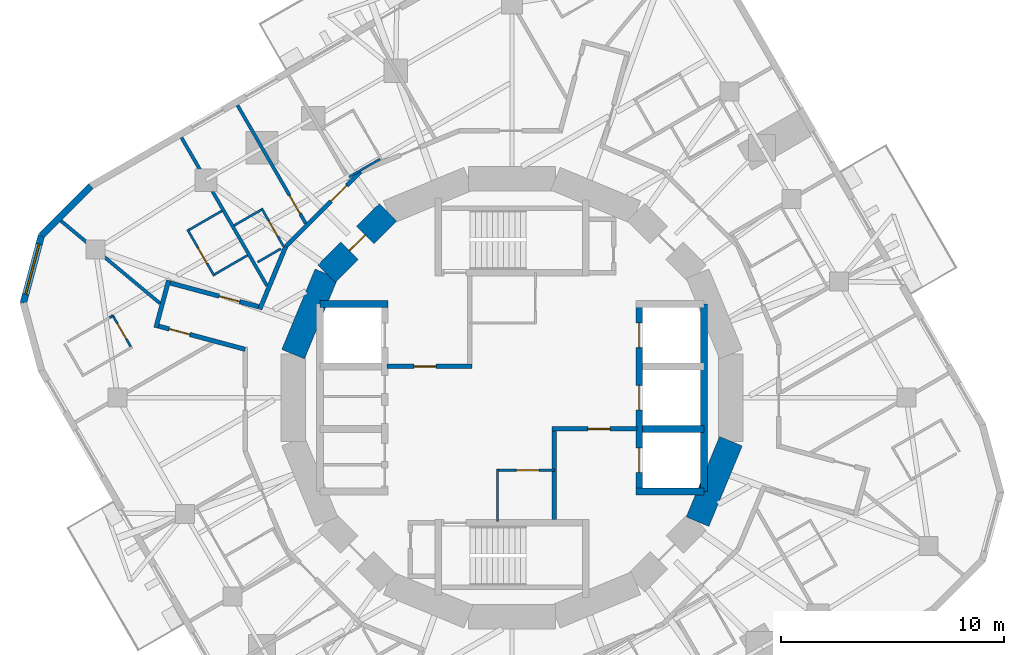
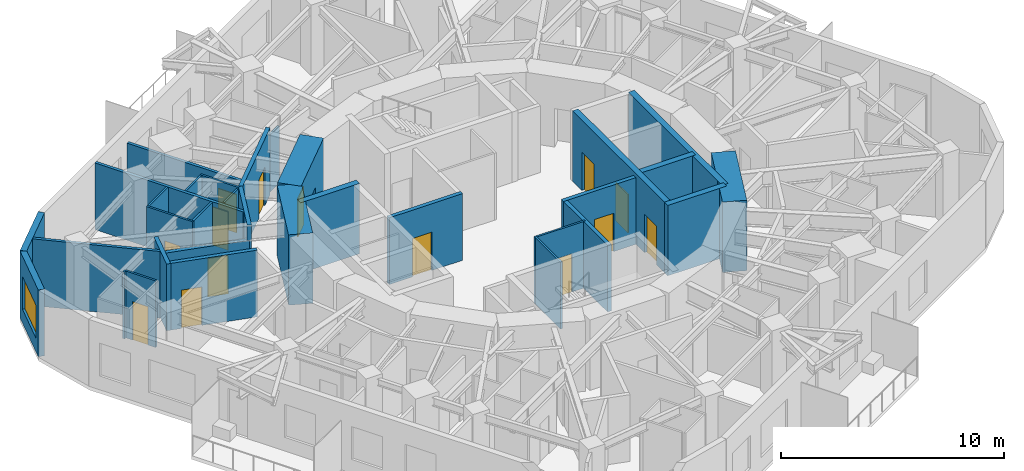
# One storey, part 6 of 11: 32 walls, 14 doors, 1 window, 15 openings.
"""IFC4 building model written with IfcOpenShell, lengths in metres."""

from ifc_helpers import new_model, si_unit, direction, frame, frame_2d, origin, place, context, subcontext, project, spatial, rectangle, extrude, material, layer, layer_set, type_object, element, fill, save


model = new_model("IFC4")

# Units and contexts
model_context = context("Model", 3, precision=1e-05, world=origin(), true_north=direction((0.0, 1.0)))
body_context = subcontext(model_context, "Body", "Model", "MODEL_VIEW")
ifc_project = project(units=[si_unit("LENGTHUNIT", "METRE"), si_unit("AREAUNIT", "SQUARE_METRE"), si_unit("VOLUMEUNIT", "CUBIC_METRE"), si_unit("PLANEANGLEUNIT", "RADIAN"), si_unit("MASSUNIT", "GRAM", prefix="KILO")], contexts=[model_context])

# Site, building, storey
site_placement = place(None, origin())
site = spatial("IfcSite", under=ifc_project, at=site_placement, CompositionType="ELEMENT")
building_placement = place(site_placement, origin())
building = spatial("IfcBuilding", under=site, at=building_placement, Name="Nakasero Lantern House", CompositionType="ELEMENT")
storey_placement = place(building_placement, frame((0.0, 0.0, 238.5)))
storey = spatial("IfcBuildingStorey", under=building, at=storey_placement, Name="L58", CompositionType="ELEMENT", Elevation=238.5)

# Wall, openings, doors
ifc_material_1 = material(Name="Concrete C50/60", Category="concrete")
ifc_layer_1 = layer(ifc_material_1, 0.300048828125)
ifc_layer_set_1 = layer_set([ifc_layer_1], Name="Core inner wall 300")
wall_type_1 = type_object("IfcWallType", Name="Core inner wall 300", PredefinedType="SHEAR", material=ifc_layer_set_1)
wall_1_placement = place(storey_placement, frame((5.699951171875, -4.199951171875, 0.0), z_axis=(0.0, 0.0, 1.0), x_axis=(0.0, 1.0, 0.0)))
wall_1 = element("IfcWall", 1, at=wall_1_placement, inside=storey, type_object=wall_type_1, Name="Core inner wall L58 LE", PredefinedType="SHEAR", context=body_context, shape_type="SweptSolid", body=[
    extrude(rectangle(XDim=8.39990234375, YDim=0.300048828125, at=frame_2d((4.199951171875, 0.0))), origin(), (0.0, 0.0, 1.0), 3.85009765625),
])
opening_1_placement = place(wall_1_placement, frame((0.85009765625, 0.0, 0.0)))
opening_1 = element("IfcOpeningElement", 2, at=opening_1_placement, cuts=wall_1, Name="Opening LD", PredefinedType="OPENING", context=body_context, shape_type="SweptSolid", body=[
    extrude(rectangle(XDim=1.10009765625, YDim=2.10009765625, at=frame_2d((0.550048828125, 1.050048828125))), frame((0.0, 0.169921875, 0.0), z_axis=(0.0, -1.0, 0.0), x_axis=(1.0, 0.0, 0.0)), (0.0, 0.0, 1.0), 0.340087890625),
])
opening_2_placement = place(wall_1_placement, frame((3.64990234375, 0.0, 0.0)))
opening_2 = element("IfcOpeningElement", 3, at=opening_2_placement, cuts=wall_1, Name="Opening LD", PredefinedType="OPENING", context=body_context, shape_type="SweptSolid", body=[
    extrude(rectangle(XDim=1.10009765625, YDim=2.10009765625, at=frame_2d((0.550048828125, 1.050048828125))), frame((0.0, 0.169921875, 0.0), z_axis=(0.0, -1.0, 0.0), x_axis=(1.0, 0.0, 0.0)), (0.0, 0.0, 1.0), 0.340087890625),
])
opening_3_placement = place(wall_1_placement, frame((6.449951171875, 0.0, 0.0)))
opening_3 = element("IfcOpeningElement", 4, at=opening_3_placement, cuts=wall_1, Name="Opening LD", PredefinedType="OPENING", context=body_context, shape_type="SweptSolid", body=[
    extrude(rectangle(XDim=1.10009765625, YDim=2.10009765625, at=frame_2d((0.550048828125, 1.050048828125))), frame((0.0, 0.169921875, 0.0), z_axis=(0.0, -1.0, 0.0), x_axis=(1.0, 0.0, 0.0)), (0.0, 0.0, 1.0), 0.340087890625),
])
ifc_material_2 = material(Name="Steel S355", Category="steel")
door_type_1 = type_object("IfcDoorType", Name="Lift landing door E120 1100", OperationType="SLIDING_TO_LEFT", PredefinedType="DOOR", material=ifc_material_2)
door_1_placement = place(opening_1_placement, origin())
door_1 = element("IfcDoor", 5, at=door_1_placement, inside=storey, type_object=door_type_1, Name="Lift landing door LE1", OperationType="SLIDING_TO_LEFT", OverallHeight=2.10009765625, OverallWidth=1.10009765625, PredefinedType="DOOR", context=body_context, shape_type="SweptSolid", body=[
    extrude(rectangle(XDim=1.10009765625, YDim=2.10009765625, at=frame_2d((0.550048828125, 1.050048828125))), frame((0.0, 0.02490234375, 0.0), z_axis=(0.0, -1.0, 0.0), x_axis=(1.0, 0.0, 0.0)), (0.0, 0.0, 1.0), 0.050048828125),
])
fill(opening_1, door_1)
door_2_placement = place(opening_2_placement, origin())
door_2 = element("IfcDoor", 6, at=door_2_placement, inside=storey, type_object=door_type_1, Name="Lift landing door LE2", OperationType="SLIDING_TO_LEFT", OverallHeight=2.10009765625, OverallWidth=1.10009765625, PredefinedType="DOOR", context=body_context, shape_type="SweptSolid", body=[
    extrude(rectangle(XDim=1.10009765625, YDim=2.10009765625, at=frame_2d((0.550048828125, 1.050048828125))), frame((0.0, 0.02490234375, 0.0), z_axis=(0.0, -1.0, 0.0), x_axis=(1.0, 0.0, 0.0)), (0.0, 0.0, 1.0), 0.050048828125),
])
fill(opening_2, door_2)
door_3_placement = place(opening_3_placement, origin())
door_3 = element("IfcDoor", 7, at=door_3_placement, inside=storey, type_object=door_type_1, Name="Lift landing door LE3", OperationType="SLIDING_TO_LEFT", OverallHeight=2.10009765625, OverallWidth=1.10009765625, PredefinedType="DOOR", context=body_context, shape_type="SweptSolid", body=[
    extrude(rectangle(XDim=1.10009765625, YDim=2.10009765625, at=frame_2d((0.550048828125, 1.050048828125))), frame((0.0, 0.02490234375, 0.0), z_axis=(0.0, -1.0, 0.0), x_axis=(1.0, 0.0, 0.0)), (0.0, 0.0, 1.0), 0.050048828125),
])
fill(opening_3, door_3)

# Walls
for number, where, z_axis, x_axis, name in (
    (8, (-8.60009765625, 4.199951171875, 0.0), (0.0, 0.0, 1.0), (1.0, 0.0, 0.0), "Core inner wall L58 LWN"),
    (9, (5.550048828125, -4.199951171875, 0.0), (0.0, 0.0, 1.0), (1.0, 0.0, 0.0), "Core inner wall L58 LES"),
):
    element("IfcWall", number, at=place(storey_placement, frame(where, z_axis=z_axis, x_axis=x_axis)), inside=storey, type_object=wall_type_1, Name=name, PredefinedType="SHEAR", context=body_context, shape_type="SweptSolid", body=[
        extrude(rectangle(XDim=3.050048828125, YDim=0.300048828125, at=frame_2d((1.52490234375, 0.0))), origin(), (0.0, 0.0, 1.0), 3.85009765625),
    ])
wall_2_placement = place(storey_placement, frame((8.60009765625, -4.199951171875, 0.0), z_axis=(0.0, 0.0, 1.0), x_axis=(0.0, 1.0, 0.0)))
element("IfcWall", 10, at=wall_2_placement, inside=storey, type_object=wall_type_1, Name="Core inner wall L58 LEB", PredefinedType="SHEAR", context=body_context, shape_type="SweptSolid", body=[
    extrude(rectangle(XDim=8.39990234375, YDim=0.300048828125, at=frame_2d((4.199951171875, 0.0))), origin(), (0.0, 0.0, 1.0), 3.85009765625),
])
wall_3_placement = place(storey_placement, frame((5.85009765625, -1.39990234375, 0.0), z_axis=(0.0, 0.0, 1.0), x_axis=(1.0, 0.0, 0.0)))
element("IfcWall", 11, at=wall_3_placement, inside=storey, type_object=wall_type_1, Name="Core inner wall L58 LE1", PredefinedType="SHEAR", context=body_context, shape_type="SweptSolid", body=[
    extrude(rectangle(XDim=2.75, YDim=0.300048828125, at=frame_2d((1.375, 0.0))), origin(), (0.0, 0.0, 1.0), 3.85009765625),
])

# Wall, opening, door
ifc_material_3 = material(Name="Blockwork", Category="masonry")
ifc_layer_2 = layer(ifc_material_3, 0.10009765625)
ifc_layer_set_2 = layer_set([ifc_layer_2], Name="Core room wall 100")
wall_type_2 = type_object("IfcWallType", Name="Core room wall 100", PredefinedType="PARTITIONING", material=ifc_layer_set_2)
wall_4_placement = place(storey_placement, frame((-0.699951171875, -3.25, 0.0), z_axis=(0.0, 0.0, 1.0), x_axis=(1.0, 0.0, 0.0)))
wall_4 = element("IfcWall", 12, at=wall_4_placement, inside=storey, type_object=wall_type_2, Name="Core room wall L58 CR-SWN", PredefinedType="PARTITIONING", context=body_context, shape_type="SweptSolid", body=[
    extrude(rectangle(XDim=2.599853515625, YDim=0.10009765625, at=frame_2d((1.2998046875, 0.0))), origin(), (0.0, 0.0, 1.0), 3.64990234375),
])
opening_4_placement = place(wall_4_placement, frame((0.89990234375, 0.0, 0.0)))
opening_4 = element("IfcOpeningElement", 13, at=opening_4_placement, cuts=wall_4, Name="Opening D07", PredefinedType="OPENING", context=body_context, shape_type="SweptSolid", body=[
    extrude(rectangle(XDim=1.0, YDim=2.10009765625, at=frame_2d((0.5, 1.050048828125))), frame((0.0, 0.070068359375, 0.0), z_axis=(0.0, -1.0, 0.0), x_axis=(1.0, 0.0, 0.0)), (0.0, 0.0, 1.0), 0.14013671875),
])
ifc_material_4 = material(Name="Timber C24", Category="wood")
door_type_2 = type_object("IfcDoorType", Name="Room door FD30S 1000", OperationType="SINGLE_SWING_LEFT", PredefinedType="DOOR", material=ifc_material_4)
door_4_placement = place(opening_4_placement, origin())
door_4 = element("IfcDoor", 14, at=door_4_placement, inside=storey, type_object=door_type_2, Name="Door L58 D-CR-SW", OperationType="SINGLE_SWING_RIGHT", OverallHeight=2.10009765625, OverallWidth=1.0, PredefinedType="DOOR", context=body_context, shape_type="SweptSolid", body=[
    extrude(rectangle(XDim=1.0, YDim=2.10009765625, at=frame_2d((0.5, 1.050048828125))), frame((0.0, 0.02490234375, 0.0), z_axis=(0.0, -1.0, 0.0), x_axis=(1.0, 0.0, 0.0)), (0.0, 0.0, 1.0), 0.050048828125),
])
fill(opening_4, door_4)

# Wall
wall_5_placement = place(storey_placement, frame((-0.64990234375, -5.550048828125, 0.0), z_axis=(0.0, 0.0, 1.0), x_axis=(0.0, 1.0, 0.0)))
element("IfcWall", 15, at=wall_5_placement, inside=storey, type_object=wall_type_2, Name="Core room wall L58 CR-SWW", PredefinedType="PARTITIONING", context=body_context, shape_type="SweptSolid", body=[
    extrude(rectangle(XDim=2.35009765625, YDim=0.10009765625, at=frame_2d((1.175048828125, 0.0))), origin(), (0.0, 0.0, 1.0), 3.64990234375),
])

# Wall, opening, door
ifc_material_5 = material(Name="Concrete C50/60", Category="concrete")
ifc_layer_3 = layer(ifc_material_5, 1.10009765625)
ifc_layer_set_3 = layer_set([ifc_layer_3], Name="Core wall 1100")
wall_type_3 = type_object("IfcWallType", Name="Core wall 1100", PredefinedType="SHEAR", material=ifc_layer_set_3)
wall_6_placement = place(storey_placement, frame((-5.5556640625, 8.314697265625, 0.0), z_axis=(0.0, 0.0, 1.0), x_axis=(-0.707106781187, -0.707106781187, 0.0)))
wall_6 = element("IfcWall", 16, at=wall_6_placement, inside=storey, type_object=wall_type_3, Name="Core wall L58 facet 6", PredefinedType="SHEAR", context=body_context, shape_type="SweptSolid", body=[
    extrude(rectangle(XDim=3.90185546875, YDim=1.10009765625, at=frame_2d((1.950927734375, 0.0))), origin(), (0.0, 0.0, 1.0), 3.85009765625),
])
opening_5_placement = place(wall_6_placement, frame((1.450927734375, 0.0, 0.0)))
opening_5 = element("IfcOpeningElement", 17, at=opening_5_placement, cuts=wall_6, Name="Opening D05", PredefinedType="OPENING", context=body_context, shape_type="SweptSolid", body=[
    extrude(rectangle(XDim=1.0, YDim=2.10009765625, at=frame_2d((0.5, 1.050048828125))), frame((0.0, 0.570068359375, 0.0), z_axis=(0.0, -1.0, 0.0), x_axis=(1.0, 0.0, 0.0)), (0.0, 0.0, 1.0), 1.14013671875),
])
ifc_material_6 = material(Name="Timber C24", Category="wood")
door_type_3 = type_object("IfcDoorType", Name="Core door FD60S 1000", OperationType="SINGLE_SWING_LEFT", PredefinedType="DOOR", material=ifc_material_6)
door_5_placement = place(opening_5_placement, origin())
door_5 = element("IfcDoor", 18, at=door_5_placement, inside=storey, type_object=door_type_3, Name="Door L58 D-CORE06", OperationType="SINGLE_SWING_LEFT", OverallHeight=2.10009765625, OverallWidth=1.0, PredefinedType="DOOR", context=body_context, shape_type="SweptSolid", body=[
    extrude(rectangle(XDim=1.0, YDim=2.10009765625, at=frame_2d((0.5, 1.050048828125))), frame((0.0, 0.02490234375, 0.0), z_axis=(0.0, -1.0, 0.0), x_axis=(1.0, 0.0, 0.0)), (0.0, 0.0, 1.0), 0.050048828125),
])
fill(opening_5, door_5)

# Walls
for number, where, z_axis, x_axis, name in (
    (19, (-8.314697265625, 5.5556640625, 0.0), (0.0, 0.0, 1.0), (-0.382690736062, -0.923876507187, 0.0), "Core wall L58 facet 7"),
    (20, (8.314697265625, -5.5556640625, 0.0), (0.0, 0.0, 1.0), (0.382690736062, 0.923876507187, 0.0), "Core wall L58 facet 15"),
):
    element("IfcWall", number, at=place(storey_placement, frame(where, z_axis=z_axis, x_axis=x_axis)), inside=storey, type_object=wall_type_3, Name=name, PredefinedType="SHEAR", context=body_context, shape_type="SweptSolid", body=[
        extrude(rectangle(XDim=3.90185546875, YDim=1.10009765625, at=frame_2d((1.950927734375, 0.0))), origin(), (0.0, 0.0, 1.0), 3.85009765625),
    ])
ifc_material_7 = material(Name="Blockwork", Category="masonry")
ifc_layer_4 = layer(ifc_material_7, 0.199951171875)
ifc_layer_set_4 = layer_set([ifc_layer_4], Name="Corridor wall 200")
wall_type_4 = type_object("IfcWallType", Name="Corridor wall 200", PredefinedType="PARTITIONING", material=ifc_layer_set_4)
wall_7_placement = place(storey_placement, frame((-11.302734375, 3.960205078125, 0.0), z_axis=(0.0, 0.0, 1.0), x_axis=(0.382656259044, 0.923890787601, 0.0)))
element("IfcWall", 21, at=wall_7_placement, inside=storey, type_object=wall_type_4, Name="Corridor wall L58 RC09a", PredefinedType="PARTITIONING", context=body_context, shape_type="SweptSolid", body=[
    extrude(rectangle(XDim=3.045166015625, YDim=0.199951171875, at=frame_2d((1.5224609375, 0.0))), origin(), (0.0, 0.0, 1.0), 3.64990234375),
])

# Wall, opening, door
wall_8_placement = place(storey_placement, frame((-10.137451171875, 6.773681640625, 0.0), z_axis=(0.0, 0.0, 1.0), x_axis=(0.707106781187, 0.707106781187, 0.0)))
wall_8 = element("IfcWall", 22, at=wall_8_placement, inside=storey, type_object=wall_type_4, Name="Corridor wall L58 RC10a", PredefinedType="PARTITIONING", context=body_context, shape_type="SweptSolid", body=[
    extrude(rectangle(XDim=4.757080078125, YDim=0.199951171875, at=frame_2d((2.37841796875, 0.0))), origin(), (0.0, 0.0, 1.0), 3.64990234375),
])
opening_6_placement = place(wall_8_placement, frame((2.8701171875, 0.0, 0.0)))
opening_6 = element("IfcOpeningElement", 23, at=opening_6_placement, cuts=wall_8, Name="Opening D14", PredefinedType="OPENING", context=body_context, shape_type="SweptSolid", body=[
    extrude(rectangle(XDim=1.0, YDim=2.10009765625, at=frame_2d((0.5, 1.050048828125))), frame((0.0, 0.119873046875, 0.0), z_axis=(0.0, -1.0, 0.0), x_axis=(1.0, 0.0, 0.0)), (0.0, 0.0, 1.0), 0.239990234375),
])
ifc_material_8 = material(Name="Timber C24", Category="wood")
door_type_4 = type_object("IfcDoorType", Name="Cluster entrance door FD30S 1000", OperationType="SINGLE_SWING_LEFT", PredefinedType="DOOR", material=ifc_material_8)
door_6_placement = place(opening_6_placement, origin())
door_6 = element("IfcDoor", 24, at=door_6_placement, inside=storey, type_object=door_type_4, Name="Door L58 D1-04", OperationType="SINGLE_SWING_RIGHT", OverallHeight=2.10009765625, OverallWidth=1.0, PredefinedType="DOOR", context=body_context, shape_type="SweptSolid", body=[
    extrude(rectangle(XDim=1.0, YDim=2.10009765625, at=frame_2d((0.5, 1.050048828125))), frame((0.0, 0.02490234375, 0.0), z_axis=(0.0, -1.0, 0.0), x_axis=(1.0, 0.0, 0.0)), (0.0, 0.0, 1.0), 0.050048828125),
])
fill(opening_6, door_6)

wall_9_placement = place(storey_placement, frame((-11.26416015625, 4.053466796875, 0.0), z_axis=(0.0, 0.0, 1.0), x_axis=(-0.965919779438, 0.258841611204, 0.0)))
wall_9 = element("IfcWall", 25, at=wall_9_placement, inside=storey, type_object=wall_type_4, Name="Corridor wall L58 SP1a", PredefinedType="PARTITIONING", context=body_context, shape_type="SweptSolid", body=[
    extrude(rectangle(XDim=4.394287109375, YDim=0.199951171875, at=frame_2d((2.197265625, 0.0))), origin(), (0.0, 0.0, 1.0), 2.809326171875),
])
opening_7_placement = place(wall_9_placement, frame((0.969970703125, 0.0, 0.0)))
opening_7 = element("IfcOpeningElement", 26, at=opening_7_placement, cuts=wall_9, Name="Opening D01", PredefinedType="OPENING", context=body_context, shape_type="SweptSolid", body=[
    extrude(rectangle(XDim=0.949951171875, YDim=2.10009765625, at=frame_2d((0.47509765625, 1.050048828125))), frame((0.0, 0.119873046875, 0.0), z_axis=(0.0, -1.0, 0.0), x_axis=(1.0, 0.0, 0.0)), (0.0, 0.0, 1.0), 0.239990234375),
])
ifc_material_9 = material(Name="Timber C24", Category="wood")
door_type_5 = type_object("IfcDoorType", Name="Bedroom door FD30S 950", OperationType="SINGLE_SWING_LEFT", PredefinedType="DOOR", material=ifc_material_9)
door_7_placement = place(opening_7_placement, origin())
door_7 = element("IfcDoor", 27, at=door_7_placement, inside=storey, type_object=door_type_5, Name="Door L58 D1-06", OperationType="SINGLE_SWING_LEFT", OverallHeight=2.10009765625, OverallWidth=0.949951171875, PredefinedType="DOOR", context=body_context, shape_type="SweptSolid", body=[
    extrude(rectangle(XDim=0.949951171875, YDim=2.10009765625, at=frame_2d((0.47509765625, 1.050048828125))), frame((0.0, 0.02490234375, 0.0), z_axis=(0.0, -1.0, 0.0), x_axis=(1.0, 0.0, 0.0)), (0.0, 0.0, 1.0), 0.050048828125),
])
fill(opening_7, door_7)

wall_10_placement = place(storey_placement, frame((-11.957763671875, 2.168701171875, 0.0), z_axis=(0.0, 0.0, 1.0), x_axis=(-0.965916744568, 0.258852936168, 0.0)))
wall_10 = element("IfcWall", 28, at=wall_10_placement, inside=storey, type_object=wall_type_4, Name="Corridor wall L58 SP1b", PredefinedType="PARTITIONING", context=body_context, shape_type="SweptSolid", body=[
    extrude(rectangle(XDim=4.212158203125, YDim=0.199951171875, at=frame_2d((2.10595703125, 0.0))), origin(), (0.0, 0.0, 1.0), 3.64990234375),
])
opening_8_placement = place(wall_10_placement, frame((2.570068359375, 0.0, 0.0)))
opening_8 = element("IfcOpeningElement", 29, at=opening_8_placement, cuts=wall_10, Name="Opening D01", PredefinedType="OPENING", context=body_context, shape_type="SweptSolid", body=[
    extrude(rectangle(XDim=0.949951171875, YDim=2.10009765625, at=frame_2d((0.47509765625, 1.050048828125))), frame((0.0, 0.119873046875, 0.0), z_axis=(0.0, -1.0, 0.0), x_axis=(1.0, 0.0, 0.0)), (0.0, 0.0, 1.0), 0.239990234375),
])
door_8_placement = place(opening_8_placement, origin())
door_8 = element("IfcDoor", 30, at=door_8_placement, inside=storey, type_object=door_type_5, Name="Door L58 D2-00", OperationType="SINGLE_SWING_RIGHT", OverallHeight=2.10009765625, OverallWidth=0.949951171875, PredefinedType="DOOR", context=body_context, shape_type="SweptSolid", body=[
    extrude(rectangle(XDim=0.949951171875, YDim=2.10009765625, at=frame_2d((0.47509765625, 1.050048828125))), frame((0.0, 0.02490234375, 0.0), z_axis=(0.0, -1.0, 0.0), x_axis=(1.0, 0.0, 0.0)), (0.0, 0.0, 1.0), 0.050048828125),
])
fill(opening_8, door_8)

# Walls
wall_11_placement = place(storey_placement, frame((-15.38623046875, 5.261474609375, 0.0), z_axis=(0.0, 0.0, 1.0), x_axis=(-0.258898792763, -0.965904454439, 0.0)))
element("IfcWall", 31, at=wall_11_placement, inside=storey, type_object=wall_type_4, Name="Corridor wall L58 SP1e", PredefinedType="PARTITIONING", context=body_context, shape_type="SweptSolid", body=[
    extrude(rectangle(XDim=2.199951171875, YDim=0.199951171875, at=frame_2d((1.10009765625, 0.0))), origin(), (0.0, 0.0, 1.0), 3.64990234375),
])
ifc_material_10 = material(Name="Blockwork", Category="masonry")
ifc_layer_5 = layer(ifc_material_10, 0.10009765625)
ifc_layer_set_5 = layer_set([ifc_layer_5], Name="En-suite wall 100")
wall_type_5 = type_object("IfcWallType", Name="En-suite wall 100", PredefinedType="PARTITIONING", material=ifc_layer_set_5)
wall_12_placement = place(storey_placement, frame((-5.914794921875, 10.69287109375, 0.0), z_axis=(0.0, 0.0, 1.0), x_axis=(-0.866094119867, -0.499880961361, 0.0)))
element("IfcWall", 32, at=wall_12_placement, inside=storey, type_object=wall_type_5, Name="En-suite wall L58 EI1-03", PredefinedType="PARTITIONING", context=body_context, shape_type="SweptSolid", body=[
    extrude(rectangle(XDim=1.60009765625, YDim=0.10009765625, at=frame_2d((0.800048828125, 0.0))), origin(), (0.0, 0.0, 1.0), 3.11328125),
])

# Wall, opening, door
wall_13_placement = place(storey_placement, frame((-10.220703125, 6.754150390625, 0.0), z_axis=(0.0, 0.0, 1.0), x_axis=(-0.50002537861, 0.866010750942, 0.0)))
wall_13 = element("IfcWall", 33, at=wall_13_placement, inside=storey, type_object=wall_type_5, Name="En-suite wall L58 ES1-05", PredefinedType="PARTITIONING", context=body_context, shape_type="SweptSolid", body=[
    extrude(rectangle(XDim=2.0, YDim=0.10009765625, at=frame_2d((1.0, 0.0))), origin(), (0.0, 0.0, 1.0), 3.64990234375),
])
opening_9_placement = place(wall_13_placement, frame((0.550048828125, 0.0, 0.0)))
opening_9 = element("IfcOpeningElement", 34, at=opening_9_placement, cuts=wall_13, Name="Opening D02", PredefinedType="OPENING", context=body_context, shape_type="SweptSolid", body=[
    extrude(rectangle(XDim=0.800048828125, YDim=2.10009765625, at=frame_2d((0.39990234375, 1.050048828125))), frame((0.0, 0.070068359375, 0.0), z_axis=(0.0, -1.0, 0.0), x_axis=(1.0, 0.0, 0.0)), (0.0, 0.0, 1.0), 0.14013671875),
])
ifc_material_11 = material(Name="Timber C24", Category="wood")
door_type_6 = type_object("IfcDoorType", Name="En-suite door 800", OperationType="SINGLE_SWING_RIGHT", PredefinedType="DOOR", material=ifc_material_11)
door_9_placement = place(opening_9_placement, origin())
door_9 = element("IfcDoor", 35, at=door_9_placement, inside=storey, type_object=door_type_6, Name="Door L58 DE1-05", OperationType="SINGLE_SWING_LEFT", OverallHeight=2.10009765625, OverallWidth=0.800048828125, PredefinedType="DOOR", context=body_context, shape_type="SweptSolid", body=[
    extrude(rectangle(XDim=0.800048828125, YDim=2.10009765625, at=frame_2d((0.39990234375, 1.050048828125))), frame((0.0, 0.02490234375, 0.0), z_axis=(0.0, -1.0, 0.0), x_axis=(1.0, 0.0, 0.0)), (0.0, 0.0, 1.0), 0.050048828125),
])
fill(opening_9, door_9)

# Wall
wall_14_placement = place(storey_placement, frame((-11.239013671875, 8.417724609375, 0.0), z_axis=(0.0, 0.0, 1.0), x_axis=(-0.866034573852, -0.49998411664, 0.0)))
element("IfcWall", 36, at=wall_14_placement, inside=storey, type_object=wall_type_5, Name="En-suite wall L58 EE1-05", PredefinedType="PARTITIONING", context=body_context, shape_type="SweptSolid", body=[
    extrude(rectangle(XDim=1.39990234375, YDim=0.10009765625, at=frame_2d((0.699951171875, 0.0))), origin(), (0.0, 0.0, 1.0), 3.64990234375),
])

# Wall, opening, door
wall_15_placement = place(storey_placement, frame((-13.342041015625, 5.46044921875, 0.0), z_axis=(0.0, 0.0, 1.0), x_axis=(-0.500033551112, 0.866006032174, 0.0)))
wall_15 = element("IfcWall", 37, at=wall_15_placement, inside=storey, type_object=wall_type_5, Name="En-suite wall L58 ES1-06", PredefinedType="PARTITIONING", context=body_context, shape_type="SweptSolid", body=[
    extrude(rectangle(XDim=2.400146484375, YDim=0.10009765625, at=frame_2d((1.2001953125, 0.0))), origin(), (0.0, 0.0, 1.0), 3.64990234375),
])
opening_10_placement = place(wall_15_placement, frame((0.64990234375, 0.0, 0.0)))
opening_10 = element("IfcOpeningElement", 38, at=opening_10_placement, cuts=wall_15, Name="Opening D02", PredefinedType="OPENING", context=body_context, shape_type="SweptSolid", body=[
    extrude(rectangle(XDim=0.800048828125, YDim=2.10009765625, at=frame_2d((0.39990234375, 1.050048828125))), frame((0.0, 0.070068359375, 0.0), z_axis=(0.0, -1.0, 0.0), x_axis=(1.0, 0.0, 0.0)), (0.0, 0.0, 1.0), 0.14013671875),
])
door_10_placement = place(opening_10_placement, origin())
door_10 = element("IfcDoor", 39, at=door_10_placement, inside=storey, type_object=door_type_6, Name="Door L58 DE1-06", OperationType="SINGLE_SWING_LEFT", OverallHeight=2.10009765625, OverallWidth=0.800048828125, PredefinedType="DOOR", context=body_context, shape_type="SweptSolid", body=[
    extrude(rectangle(XDim=0.800048828125, YDim=2.10009765625, at=frame_2d((0.39990234375, 1.050048828125))), frame((0.0, 0.02490234375, 0.0), z_axis=(0.0, -1.0, 0.0), x_axis=(1.0, 0.0, 0.0)), (0.0, 0.0, 1.0), 0.050048828125),
])
fill(opening_10, door_10)

# Walls
for number, where, z_axis, x_axis, name in (
    (40, (-13.001708984375, 8.37060546875, 0.0), (0.0, 0.0, 1.0), (-0.86605165483, -0.499954529098, 0.0), "En-suite wall L58 EE1-06"),
    (41, (-11.8515625, 6.37890625, 0.0), (0.0, 0.0, 1.0), (-0.865989465428, -0.500062241894, 0.0), "En-suite wall L58 EI1-06"),
):
    element("IfcWall", number, at=place(storey_placement, frame(where, z_axis=z_axis, x_axis=x_axis)), inside=storey, type_object=wall_type_5, Name=name, PredefinedType="PARTITIONING", context=body_context, shape_type="SweptSolid", body=[
        extrude(rectangle(XDim=1.699951171875, YDim=0.10009765625, at=frame_2d((0.85009765625, 0.0))), origin(), (0.0, 0.0, 1.0), 3.64990234375),
    ])

# Wall, opening, door
wall_16_placement = place(storey_placement, frame((-17.8837890625, 3.675537109375, 0.0), z_axis=(0.0, 0.0, 1.0), x_axis=(0.500061482766, -0.865989903783, 0.0)))
wall_16 = element("IfcWall", 42, at=wall_16_placement, inside=storey, type_object=wall_type_5, Name="En-suite wall L58 EI2-00", PredefinedType="PARTITIONING", context=body_context, shape_type="SweptSolid", body=[
    extrude(rectangle(XDim=1.599853515625, YDim=0.10009765625, at=frame_2d((0.7998046875, 0.0))), origin(), (0.0, 0.0, 1.0), 3.64990234375),
])
opening_11_placement = place(wall_16_placement, frame((0.39990234375, 0.0, 0.0)))
opening_11 = element("IfcOpeningElement", 43, at=opening_11_placement, cuts=wall_16, Name="Opening D02", PredefinedType="OPENING", context=body_context, shape_type="SweptSolid", body=[
    extrude(rectangle(XDim=0.800048828125, YDim=2.10009765625, at=frame_2d((0.39990234375, 1.050048828125))), frame((0.0, 0.070068359375, 0.0), z_axis=(0.0, -1.0, 0.0), x_axis=(1.0, 0.0, 0.0)), (0.0, 0.0, 1.0), 0.14013671875),
])
door_11_placement = place(opening_11_placement, origin())
door_11 = element("IfcDoor", 44, at=door_11_placement, inside=storey, type_object=door_type_6, Name="Door L58 DE2-00", OperationType="SINGLE_SWING_LEFT", OverallHeight=2.10009765625, OverallWidth=0.800048828125, PredefinedType="DOOR", context=body_context, shape_type="SweptSolid", body=[
    extrude(rectangle(XDim=0.800048828125, YDim=2.10009765625, at=frame_2d((0.39990234375, 1.050048828125))), frame((0.0, 0.02490234375, 0.0), z_axis=(0.0, -1.0, 0.0), x_axis=(1.0, 0.0, 0.0)), (0.0, 0.0, 1.0), 0.050048828125),
])
fill(opening_11, door_11)

# Walls
wall_17_placement = place(storey_placement, frame((-11.40283203125, 6.071533203125, 0.0), z_axis=(0.0, 0.0, 1.0), x_axis=(0.86598987286, 0.500061536317, 0.0)))
element("IfcWall", 45, at=wall_17_placement, inside=storey, type_object=wall_type_5, Name="En-suite wall L58 EX002", PredefinedType="PARTITIONING", context=body_context, shape_type="SweptSolid", body=[
    extrude(rectangle(XDim=1.204833984375, YDim=0.10009765625, at=frame_2d((0.6025390625, 0.0))), origin(), (0.0, 0.0, 1.0), 3.64990234375),
])
wall_18_placement = place(storey_placement, frame((-17.8837890625, 3.675537109375, 0.0), z_axis=(0.0, 0.0, 1.0), x_axis=(-0.865600433939, -0.500735348028, 0.0)))
element("IfcWall", 46, at=wall_18_placement, inside=storey, type_object=wall_type_5, Name="En-suite wall L58 EI2-00R0", PredefinedType="PARTITIONING", context=body_context, shape_type="SweptSolid", body=[
    extrude(rectangle(XDim=0.159912109375, YDim=0.10009765625, at=frame_2d((0.080078125, 0.0))), origin(), (0.0, 0.0, 1.0), 3.64990234375),
])
ifc_material_12 = material(Name="Aluminium rainscreen on blockwork", Category="masonry")
ifc_layer_6 = layer(ifc_material_12, 0.300048828125)
ifc_layer_set_6 = layer_set([ifc_layer_6], Name="Facade wall 300")
wall_type_6 = type_object("IfcWallType", Name="Facade wall 300", PredefinedType="SOLIDWALL", material=ifc_layer_set_6)
wall_19_placement = place(storey_placement, frame((-18.870849609375, 9.4853515625, 0.0), z_axis=(0.0, 0.0, 1.0), x_axis=(-0.707145758492, -0.707067801733, 0.0)))
element("IfcWall", 47, at=wall_19_placement, inside=storey, type_object=wall_type_6, Name="Facade wall L58 FW1C1", PredefinedType="SOLIDWALL", context=body_context, shape_type="SweptSolid", body=[
    extrude(rectangle(XDim=3.1318359375, YDim=0.300048828125, at=frame_2d((1.56591796875, 0.0))), origin(), (0.0, 0.0, 1.0), 3.64990234375),
])

# Wall, opening, window
wall_20_placement = place(storey_placement, frame((-21.08544921875, 7.27099609375, 0.0), z_axis=(0.0, 0.0, 1.0), x_axis=(-0.258807521156, -0.965928914048, 0.0)))
wall_20 = element("IfcWall", 48, at=wall_20_placement, inside=storey, type_object=wall_type_6, Name="Facade wall L58 FW1C2", PredefinedType="SOLIDWALL", context=body_context, shape_type="SweptSolid", body=[
    extrude(rectangle(XDim=3.1318359375, YDim=0.300048828125, at=frame_2d((1.56591796875, 0.0))), origin(), (0.0, 0.0, 1.0), 3.64990234375),
])
opening_12_placement = place(wall_20_placement, frame((0.39990234375, 0.0, 0.75)))
opening_12 = element("IfcOpeningElement", 49, at=opening_12_placement, cuts=wall_20, Name="Opening W223", PredefinedType="OPENING", context=body_context, shape_type="SweptSolid", body=[
    extrude(rectangle(XDim=2.33203125, YDim=1.800048828125, at=frame_2d((1.166015625, 0.89990234375))), frame((0.0, 0.169921875, 0.0), z_axis=(0.0, -1.0, 0.0), x_axis=(1.0, 0.0, 0.0)), (0.0, 0.0, 1.0), 0.340087890625),
])
ifc_material_13 = material(Name="Aluminium 6063-T6 and glass", Category="aluminium")
window_type = type_object("IfcWindowType", Name="Corner window 2332x1800", PartitioningType="SINGLE_PANEL", PredefinedType="WINDOW", material=ifc_material_13)
window_placement = place(opening_12_placement, origin())
window = element("IfcWindow", 50, at=window_placement, inside=storey, type_object=window_type, Name="Window L58 WC1", OverallHeight=1.800048828125, OverallWidth=2.33203125, PartitioningType="SINGLE_PANEL", PredefinedType="WINDOW", context=body_context, shape_type="SweptSolid", body=[
    extrude(rectangle(XDim=2.33203125, YDim=1.800048828125, at=frame_2d((1.166015625, 0.89990234375))), frame((0.0, 0.030029296875, 0.0), z_axis=(0.0, -1.0, 0.0), x_axis=(1.0, 0.0, 0.0)), (0.0, 0.0, 1.0), 0.06005859375),
])
fill(opening_12, window)

# Wall, opening, door
ifc_material_14 = material(Name="Blockwork", Category="masonry")
ifc_layer_7 = layer(ifc_material_14, 0.199951171875)
ifc_layer_set_7 = layer_set([ifc_layer_7], Name="Fire lobby wall 200")
wall_type_7 = type_object("IfcWallType", Name="Fire lobby wall 200", PredefinedType="PARTITIONING", material=ifc_layer_set_7)
wall_21_placement = place(storey_placement, frame((-5.60009765625, 1.39990234375, 0.0), z_axis=(0.0, 0.0, 1.0), x_axis=(1.0, 0.0, 0.0)))
wall_21 = element("IfcWall", 51, at=wall_21_placement, inside=storey, type_object=wall_type_7, Name="Fire lobby wall L58 W-FL1S", PredefinedType="PARTITIONING", context=body_context, shape_type="SweptSolid", body=[
    extrude(rectangle(XDim=3.800048828125, YDim=0.199951171875, at=frame_2d((1.89990234375, 0.0))), origin(), (0.0, 0.0, 1.0), 3.64990234375),
])
opening_13_placement = place(wall_21_placement, frame((1.199951171875, 0.0, 0.0)))
opening_13 = element("IfcOpeningElement", 52, at=opening_13_placement, cuts=wall_21, Name="Opening D05", PredefinedType="OPENING", context=body_context, shape_type="SweptSolid", body=[
    extrude(rectangle(XDim=1.0, YDim=2.10009765625, at=frame_2d((0.5, 1.050048828125))), frame((0.0, 0.119873046875, 0.0), z_axis=(0.0, -1.0, 0.0), x_axis=(1.0, 0.0, 0.0)), (0.0, 0.0, 1.0), 0.239990234375),
])
door_12_placement = place(opening_13_placement, origin())
door_12 = element("IfcDoor", 53, at=door_12_placement, inside=storey, type_object=door_type_3, Name="Door L58 D-FL1", OperationType="SINGLE_SWING_LEFT", OverallHeight=2.10009765625, OverallWidth=1.0, PredefinedType="DOOR", context=body_context, shape_type="SweptSolid", body=[
    extrude(rectangle(XDim=1.0, YDim=2.10009765625, at=frame_2d((0.5, 1.050048828125))), frame((0.0, 0.02490234375, 0.0), z_axis=(0.0, -1.0, 0.0), x_axis=(1.0, 0.0, 0.0)), (0.0, 0.0, 1.0), 0.050048828125),
])
fill(opening_13, door_12)

wall_22_placement = place(storey_placement, frame((5.60009765625, -1.39990234375, 0.0), z_axis=(0.0, 0.0, 1.0), x_axis=(-1.0, 0.0, 0.0)))
wall_22 = element("IfcWall", 54, at=wall_22_placement, inside=storey, type_object=wall_type_7, Name="Fire lobby wall L58 W-FL2N", PredefinedType="PARTITIONING", context=body_context, shape_type="SweptSolid", body=[
    extrude(rectangle(XDim=3.800048828125, YDim=0.199951171875, at=frame_2d((1.89990234375, 0.0))), origin(), (0.0, 0.0, 1.0), 3.64990234375),
])
opening_14_placement = place(wall_22_placement, frame((1.199951171875, 0.0, 0.0)))
opening_14 = element("IfcOpeningElement", 55, at=opening_14_placement, cuts=wall_22, Name="Opening D05", PredefinedType="OPENING", context=body_context, shape_type="SweptSolid", body=[
    extrude(rectangle(XDim=1.0, YDim=2.10009765625, at=frame_2d((0.5, 1.050048828125))), frame((0.0, 0.119873046875, 0.0), z_axis=(0.0, -1.0, 0.0), x_axis=(1.0, 0.0, 0.0)), (0.0, 0.0, 1.0), 0.239990234375),
])
door_13_placement = place(opening_14_placement, origin())
door_13 = element("IfcDoor", 56, at=door_13_placement, inside=storey, type_object=door_type_3, Name="Door L58 D-FL2", OperationType="SINGLE_SWING_LEFT", OverallHeight=2.10009765625, OverallWidth=1.0, PredefinedType="DOOR", context=body_context, shape_type="SweptSolid", body=[
    extrude(rectangle(XDim=1.0, YDim=2.10009765625, at=frame_2d((0.5, 1.050048828125))), frame((0.0, 0.02490234375, 0.0), z_axis=(0.0, -1.0, 0.0), x_axis=(1.0, 0.0, 0.0)), (0.0, 0.0, 1.0), 0.050048828125),
])
fill(opening_14, door_13)

# Wall
wall_23_placement = place(storey_placement, frame((1.89990234375, -1.5, 0.0), z_axis=(0.0, 0.0, 1.0), x_axis=(0.0, -1.0, 0.0)))
element("IfcWall", 57, at=wall_23_placement, inside=storey, type_object=wall_type_7, Name="Fire lobby wall L58 W-FL2W", PredefinedType="PARTITIONING", context=body_context, shape_type="SweptSolid", body=[
    extrude(rectangle(XDim=3.949951171875, YDim=0.199951171875, at=frame_2d((1.97509765625, 0.0))), origin(), (0.0, 0.0, 1.0), 3.64990234375),
])

# Wall, opening, door
ifc_material_15 = material(Name="Blockwork", Category="masonry")
ifc_layer_8 = layer(ifc_material_15, 0.14990234375)
ifc_layer_set_8 = layer_set([ifc_layer_8], Name="Party wall 150")
wall_type_8 = type_object("IfcWallType", Name="Party wall 150", PredefinedType="PARTITIONING", material=ifc_layer_set_8)
wall_24_placement = place(storey_placement, frame((-9.24267578125, 7.8095703125, 0.0), z_axis=(0.0, 0.0, 1.0), x_axis=(-0.49998624504, 0.866033345069, 0.0)))
wall_24 = element("IfcWall", 58, at=wall_24_placement, inside=storey, type_object=wall_type_8, Name="Party wall L58 PW1-05", PredefinedType="PARTITIONING", context=body_context, shape_type="SweptSolid", body=[
    extrude(rectangle(XDim=6.115478515625, YDim=0.14990234375, at=frame_2d((3.0576171875, 0.0))), origin(), (0.0, 0.0, 1.0), 2.966552734375),
])
opening_15_placement = place(wall_24_placement, frame((0.5, 0.0, 0.0)))
opening_15 = element("IfcOpeningElement", 59, at=opening_15_placement, cuts=wall_24, Name="Opening D01", PredefinedType="OPENING", context=body_context, shape_type="SweptSolid", body=[
    extrude(rectangle(XDim=0.949951171875, YDim=2.10009765625, at=frame_2d((0.47509765625, 1.050048828125))), frame((0.0, 0.094970703125, 0.0), z_axis=(0.0, -1.0, 0.0), x_axis=(1.0, 0.0, 0.0)), (0.0, 0.0, 1.0), 0.18994140625),
])
door_14_placement = place(opening_15_placement, origin())
door_14 = element("IfcDoor", 60, at=door_14_placement, inside=storey, type_object=door_type_5, Name="Door L58 DS1-05", OperationType="SINGLE_SWING_LEFT", OverallHeight=2.10009765625, OverallWidth=0.949951171875, PredefinedType="DOOR", context=body_context, shape_type="SweptSolid", body=[
    extrude(rectangle(XDim=0.949951171875, YDim=2.10009765625, at=frame_2d((0.47509765625, 1.050048828125))), frame((0.0, 0.02490234375, 0.0), z_axis=(0.0, -1.0, 0.0), x_axis=(1.0, 0.0, 0.0)), (0.0, 0.0, 1.0), 0.050048828125),
])
fill(opening_15, door_14)

# Walls
wall_25_placement = place(storey_placement, frame((-10.9755859375, 5.011474609375, 0.0), z_axis=(0.0, 0.0, 1.0), x_axis=(-0.499985976588, 0.866033500054, 0.0)))
element("IfcWall", 61, at=wall_25_placement, inside=storey, type_object=wall_type_8, Name="Party wall L58 PW1-06", PredefinedType="PARTITIONING", context=body_context, shape_type="SweptSolid", body=[
    extrude(rectangle(XDim=7.672119140625, YDim=0.14990234375, at=frame_2d((3.8359375, 0.0))), origin(), (0.0, 0.0, 1.0), 3.64990234375),
])
wall_26_placement = place(storey_placement, frame((-15.767578125, 4.224853515625, 0.0), z_axis=(0.0, 0.0, 1.0), x_axis=(-0.768380441131, 0.639993357533, 0.0)))
element("IfcWall", 62, at=wall_26_placement, inside=storey, type_object=wall_type_8, Name="Party wall L58 PW2-00", PredefinedType="PARTITIONING", context=body_context, shape_type="SweptSolid", body=[
    extrude(rectangle(XDim=5.78271484375, YDim=0.14990234375, at=frame_2d((2.891357421875, 0.0))), origin(), (0.0, 0.0, 1.0), 3.64990234375),
])

save(model, "model.ifc")
